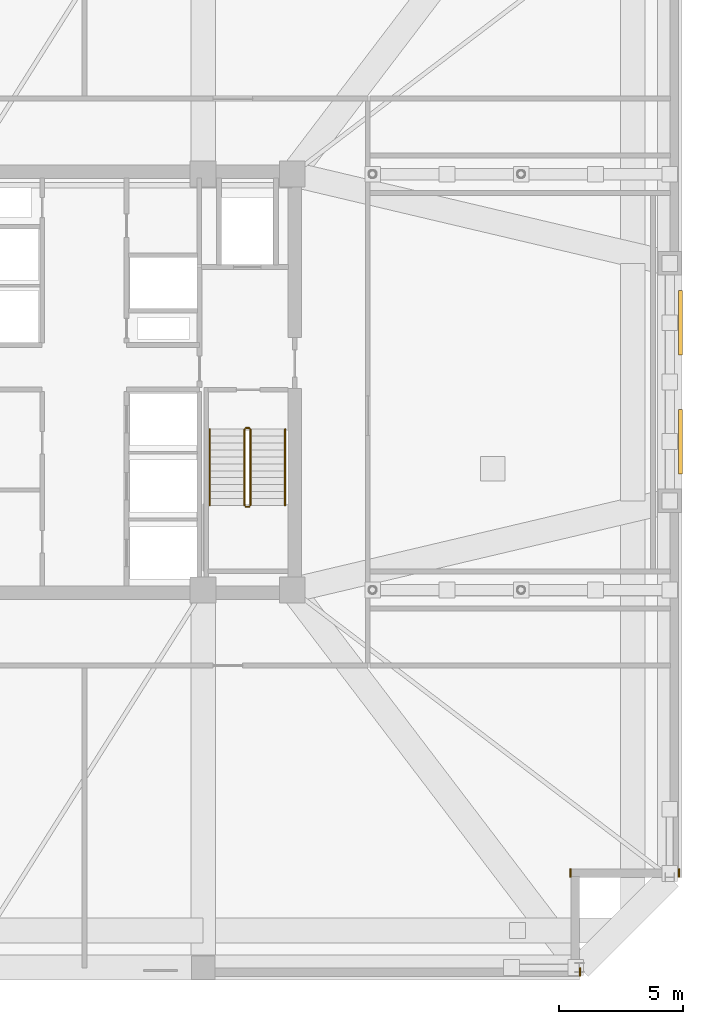
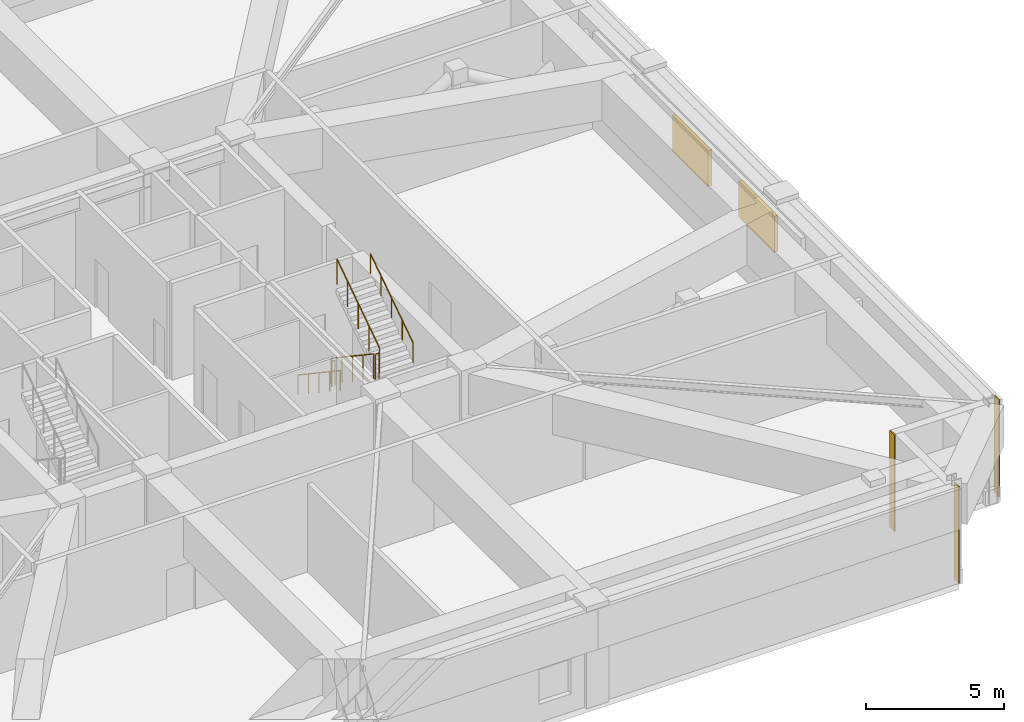
# One storey, part 11 of 13: 6 railings, 3 coverings, 2 shading devices.
"""IFC4 building model written with IfcOpenShell, lengths in metres."""

from ifc_helpers import new_model, si_unit, direction, frame, frame_2d, origin, origin_2d, place, context, subcontext, project, spatial, rectangle, circle, extrude, material, layer, layer_set, type_object, element, save


model = new_model("IFC4")

# Units and contexts
model_context = context("Model", 3, precision=1e-05, world=origin(), true_north=direction((0.0, 1.0)))
body_context = subcontext(model_context, "Body", "Model", "MODEL_VIEW")
ifc_project = project(units=[si_unit("LENGTHUNIT", "METRE"), si_unit("AREAUNIT", "SQUARE_METRE"), si_unit("VOLUMEUNIT", "CUBIC_METRE"), si_unit("PLANEANGLEUNIT", "RADIAN"), si_unit("MASSUNIT", "GRAM", prefix="KILO")], contexts=[model_context])

# Site, building, storey
site_placement = place(None, origin())
site = spatial("IfcSite", under=ifc_project, at=site_placement, CompositionType="ELEMENT")
building_placement = place(site_placement, origin())
building = spatial("IfcBuilding", under=site, at=building_placement, Name="Cairnveth Concourse Tower", CompositionType="ELEMENT")
storey_placement = place(building_placement, frame((0.0, 0.0, 193.5)))
storey = spatial("IfcBuildingStorey", under=building, at=storey_placement, Name="L53", CompositionType="ELEMENT", Elevation=193.5)

# Coverings
ifc_material_1 = material(Name="Dressed Melbourne Bluestone Cladding", Category="masonry")
ifc_layer = layer(ifc_material_1, 0.050048828125)
ifc_layer_set = layer_set([ifc_layer], Name="Dressed Melbourne Bluestone Cladding")
covering_type = type_object("IfcCoveringType", Name="DRESSED BLUESTONE PLINTH CLADDING 50", PredefinedType="CLADDING", material=ifc_layer_set)
for number, where, z_axis, x_axis, name in (
    (1, (76.02001953125, 19.340087890625, 0.0), (0.0, 0.0, 1.0), (0.0, -1.0, 0.0), "Melbourne Bluestone Corner Quoin L53-796"),
    (2, (71.639892578125, 19.340087890625, 0.0), (0.0, 0.0, 1.0), (0.0, -1.0, 0.0), "Melbourne Bluestone Corner Quoin L53-797"),
    (3, (72.02001953125, 15.340087890625, 0.0), (0.0, 0.0, 1.0), (0.0, -1.0, 0.0), "Melbourne Bluestone Corner Quoin L53-798"),
):
    element("IfcCovering", number, at=place(storey_placement, frame(where, z_axis=z_axis, x_axis=x_axis)), inside=storey, type_object=covering_type, Name=name, PredefinedType="CLADDING", context=body_context, shape_type="SweptSolid", body=[
        extrude(rectangle(XDim=0.340087890625, YDim=0.050048828125, at=frame_2d((0.169921875, 0.0))), origin(), (0.0, 0.0, 1.0), 4.2900390625),
    ])

# Shading devices
ifc_material_2 = material(Name="Architectural Bronze Anodised Aluminium 6063-T6", Category="aluminium")
shading_device_type = type_object("IfcShadingDeviceType", Name="PLANT ACOUSTIC WEATHER LOUVRE", PredefinedType="JALOUSIE", material=ifc_material_2)
for number, where, z_axis, x_axis, name in (
    (4, (76.075927734375, 36.60009765625, 0.949951171875), (0.0, 0.0, 1.0), (1.0, 0.0, 0.0), "Plant Acoustic Weather Louvre L53-8-1"),
    (5, (76.075927734375, 41.39990234375, 0.949951171875), (0.0, 0.0, 1.0), (1.0, 0.0, 0.0), "Plant Acoustic Weather Louvre L53-8-2"),
):
    element("IfcShadingDevice", number, at=place(storey_placement, frame(where, z_axis=z_axis, x_axis=x_axis)), inside=storey, type_object=shading_device_type, Name=name, PredefinedType="JALOUSIE", context=body_context, shape_type="SweptSolid", body=[
        extrude(rectangle(XDim=0.159912109375, YDim=2.60009765625, at=origin_2d()), origin(), (0.0, 0.0, 1.0), 1.60009765625),
    ])

# Railings
ifc_material_3 = material(Name="Steel Grade 350", Category="steel")
railing_type_1 = type_object("IfcRailingType", Name="STAIR GUARDRAIL 1150", PredefinedType="GUARDRAIL", material=ifc_material_3)
railing_1_placement = place(storey_placement, frame((58.469970703125, 37.10009765625, 0.1875)))
element("IfcRailing", 6, at=railing_1_placement, inside=storey, type_object=railing_type_1, Name="L53 ST-2 stair guard 1", PredefinedType="GUARDRAIL", context=body_context, shape_type="SweptSolid", body=[
    extrude(circle(Radius=0.02392578125, at=origin_2d()), frame((0.0, 0.0, 1.1259765625), z_axis=(0.0, -0.830913701846, 0.55640131208), x_axis=(1.0, 0.0, 0.0)), (0.0, 0.0, 1.0), 3.706787109375),
    extrude(circle(Radius=0.02099609375, at=origin_2d()), origin(), (0.0, 0.0, 1.0), 1.101806640625),
    extrude(circle(Radius=0.02099609375, at=origin_2d()), frame((0.0, -0.77001953125, 0.515625)), (0.0, 0.0, 1.0), 1.101806640625),
    extrude(circle(Radius=0.02099609375, at=origin_2d()), frame((0.0, -1.5400390625, 1.03125)), (0.0, 0.0, 1.0), 1.101806640625),
    extrude(circle(Radius=0.02099609375, at=origin_2d()), frame((0.0, -2.31005859375, 1.546875)), (0.0, 0.0, 1.0), 1.101806640625),
    extrude(circle(Radius=0.02099609375, at=origin_2d()), frame((0.0, -3.080078125, 2.0625)), (0.0, 0.0, 1.0), 1.101806640625),
])
railing_2_placement = place(storey_placement, frame((58.52001953125, 33.969970703125, 2.25)))
element("IfcRailing", 7, at=railing_2_placement, inside=storey, type_object=railing_type_1, Name="L53 ST-2 stair guard 2", PredefinedType="GUARDRAIL", context=body_context, shape_type="SweptSolid", body=[
    extrude(circle(Radius=0.02392578125, at=origin_2d()), frame((0.0, 0.0, 1.1259765625), z_axis=(1.0, 0.0, 0.0), x_axis=(0.0, 1.0, 0.0)), (0.0, 0.0, 1.0), 0.139892578125),
    extrude(circle(Radius=0.02099609375, at=origin_2d()), origin(), (0.0, 0.0, 1.0), 1.101806640625),
    extrude(circle(Radius=0.02099609375, at=origin_2d()), frame((0.139892578125, 0.0, 0.0)), (0.0, 0.0, 1.0), 1.101806640625),
])
railing_3_placement = place(storey_placement, frame((58.7099609375, 34.02001953125, 2.4375)))
element("IfcRailing", 8, at=railing_3_placement, inside=storey, type_object=railing_type_1, Name="L53 ST-2 stair guard 3", PredefinedType="GUARDRAIL", context=body_context, shape_type="SweptSolid", body=[
    extrude(circle(Radius=0.02392578125, at=origin_2d()), frame((0.0, 0.0, 1.1259765625), z_axis=(0.0, 0.830913701846, 0.55640131208), x_axis=(-1.0, 0.0, 0.0)), (0.0, 0.0, 1.0), 3.706787109375),
    extrude(circle(Radius=0.02099609375, at=origin_2d()), origin(), (0.0, 0.0, 1.0), 1.101806640625),
    extrude(circle(Radius=0.02099609375, at=origin_2d()), frame((0.0, 0.77001953125, 0.515625)), (0.0, 0.0, 1.0), 1.101806640625),
    extrude(circle(Radius=0.02099609375, at=origin_2d()), frame((0.0, 1.5400390625, 1.03125)), (0.0, 0.0, 1.0), 1.101806640625),
    extrude(circle(Radius=0.02099609375, at=origin_2d()), frame((0.0, 2.31005859375, 1.546875)), (0.0, 0.0, 1.0), 1.101806640625),
    extrude(circle(Radius=0.02099609375, at=origin_2d()), frame((0.0, 3.080078125, 2.0625)), (0.0, 0.0, 1.0), 1.101806640625),
])
railing_4_placement = place(storey_placement, frame((58.52001953125, 37.14990234375, 0.0)))
element("IfcRailing", 9, at=railing_4_placement, inside=storey, type_object=railing_type_1, Name="L53 ST-2 stair guard 4", PredefinedType="GUARDRAIL", context=body_context, shape_type="SweptSolid", body=[
    extrude(circle(Radius=0.02392578125, at=origin_2d()), frame((0.0, 0.0, 1.1259765625), z_axis=(1.0, 0.0, 0.0), x_axis=(0.0, 1.0, 0.0)), (0.0, 0.0, 1.0), 0.139892578125),
    extrude(circle(Radius=0.02099609375, at=origin_2d()), origin(), (0.0, 0.0, 1.0), 1.101806640625),
    extrude(circle(Radius=0.02099609375, at=origin_2d()), frame((0.139892578125, 0.0, 0.0)), (0.0, 0.0, 1.0), 1.101806640625),
])
railing_type_2 = type_object("IfcRailingType", Name="STAIR WALL HANDRAIL 900", PredefinedType="HANDRAIL", material=ifc_material_3)
railing_5_placement = place(storey_placement, frame((57.070068359375, 37.10009765625, 0.1875)))
element("IfcRailing", 10, at=railing_5_placement, inside=storey, type_object=railing_type_2, Name="L53 ST-2 stair handrail 1", PredefinedType="HANDRAIL", context=body_context, shape_type="SweptSolid", body=[
    extrude(circle(Radius=0.02392578125, at=origin_2d()), frame((0.0, 0.0, 0.8759765625), z_axis=(0.0, -0.830913701846, 0.55640131208), x_axis=(1.0, 0.0, 0.0)), (0.0, 0.0, 1.0), 3.706787109375),
    extrude(circle(Radius=0.02099609375, at=origin_2d()), origin(), (0.0, 0.0, 1.0), 0.851806640625),
    extrude(circle(Radius=0.02099609375, at=origin_2d()), frame((0.0, -0.77001953125, 0.515625)), (0.0, 0.0, 1.0), 0.851806640625),
    extrude(circle(Radius=0.02099609375, at=origin_2d()), frame((0.0, -1.5400390625, 1.03125)), (0.0, 0.0, 1.0), 0.851806640625),
    extrude(circle(Radius=0.02099609375, at=origin_2d()), frame((0.0, -2.31005859375, 1.546875)), (0.0, 0.0, 1.0), 0.851806640625),
    extrude(circle(Radius=0.02099609375, at=origin_2d()), frame((0.0, -3.080078125, 2.0625)), (0.0, 0.0, 1.0), 0.851806640625),
])
railing_6_placement = place(storey_placement, frame((60.110107421875, 34.02001953125, 2.4375)))
element("IfcRailing", 11, at=railing_6_placement, inside=storey, type_object=railing_type_2, Name="L53 ST-2 stair handrail 2", PredefinedType="HANDRAIL", context=body_context, shape_type="SweptSolid", body=[
    extrude(circle(Radius=0.02392578125, at=origin_2d()), frame((0.0, 0.0, 0.8759765625), z_axis=(0.0, 0.830913701846, 0.55640131208), x_axis=(-1.0, 0.0, 0.0)), (0.0, 0.0, 1.0), 3.706787109375),
    extrude(circle(Radius=0.02099609375, at=origin_2d()), origin(), (0.0, 0.0, 1.0), 0.851806640625),
    extrude(circle(Radius=0.02099609375, at=origin_2d()), frame((0.0, 0.77001953125, 0.515625)), (0.0, 0.0, 1.0), 0.851806640625),
    extrude(circle(Radius=0.02099609375, at=origin_2d()), frame((0.0, 1.5400390625, 1.03125)), (0.0, 0.0, 1.0), 0.851806640625),
    extrude(circle(Radius=0.02099609375, at=origin_2d()), frame((0.0, 2.31005859375, 1.546875)), (0.0, 0.0, 1.0), 0.851806640625),
    extrude(circle(Radius=0.02099609375, at=origin_2d()), frame((0.0, 3.080078125, 2.0625)), (0.0, 0.0, 1.0), 0.851806640625),
])

save(model, "model.ifc")
